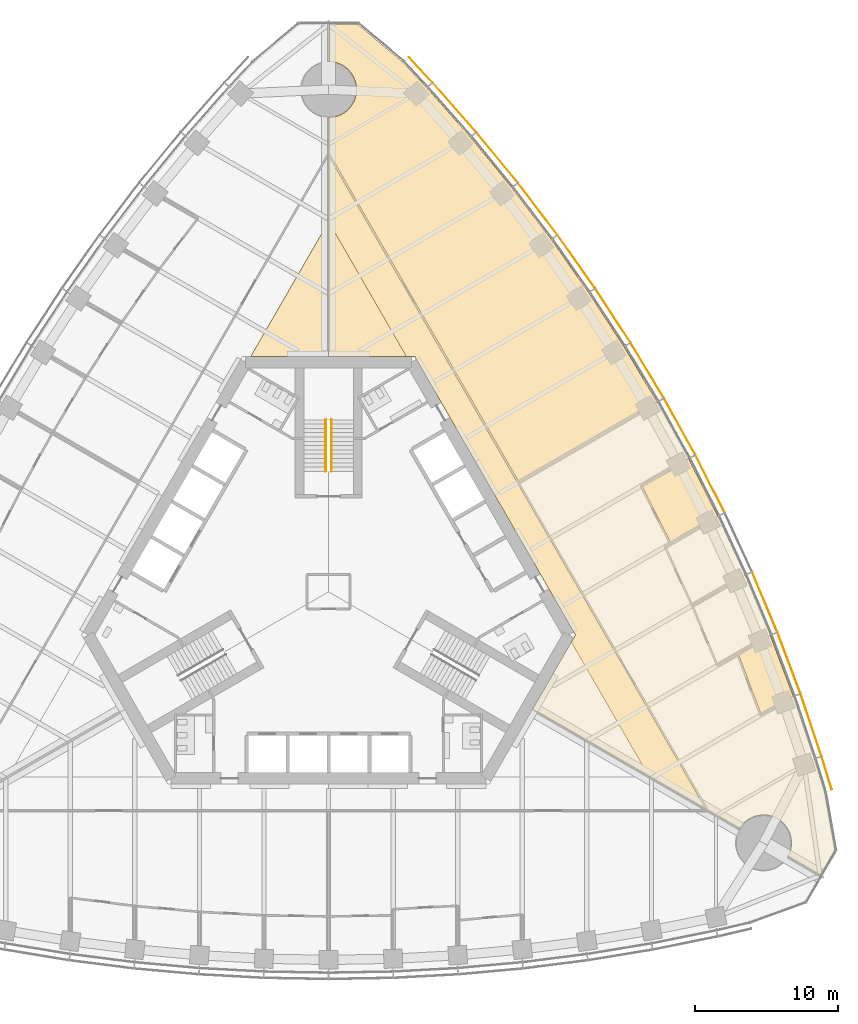
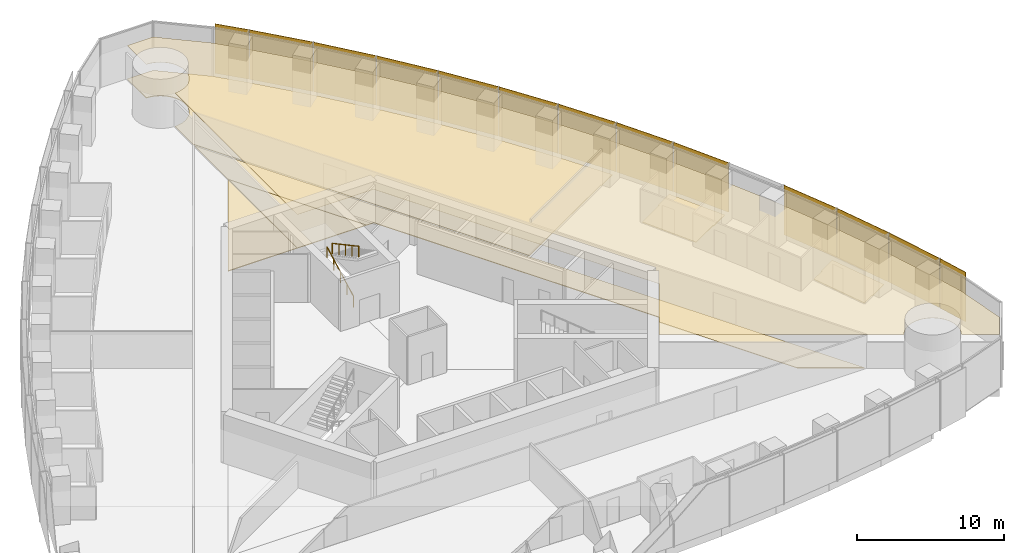
# One storey, part 17 of 19: 13 shading devices, 7 coverings, 2 railings.
"""IFC4 building model written with IfcOpenShell, lengths in metres."""

from ifc_helpers import new_model, si_unit, direction, frame, origin, origin_2d, place, context, subcontext, project, spatial, polyline, rectangle, circle, outline, extrude, material, layer, layer_set, type_object, element, save


model = new_model("IFC4")

# Units and contexts
model_context = context("Model", 3, precision=1e-05, world=origin(), true_north=direction((0.0, 1.0)))
body_context = subcontext(model_context, "Body", "Model", "MODEL_VIEW")
ifc_project = project(units=[si_unit("LENGTHUNIT", "METRE"), si_unit("AREAUNIT", "SQUARE_METRE"), si_unit("VOLUMEUNIT", "CUBIC_METRE"), si_unit("PLANEANGLEUNIT", "RADIAN"), si_unit("MASSUNIT", "GRAM", prefix="KILO")], contexts=[model_context])

# Site, building, storey
site_placement = place(None, origin())
site = spatial("IfcSite", under=ifc_project, at=site_placement, CompositionType="ELEMENT")
building_placement = place(site_placement, origin())
building = spatial("IfcBuilding", under=site, at=building_placement, Name="Trefoil Bronze Tower", CompositionType="ELEMENT")
storey_placement = place(building_placement, frame((0.0, 0.0, 128.300048828125)))
storey = spatial("IfcBuildingStorey", under=building, at=storey_placement, Name="L29", CompositionType="ELEMENT", Elevation=128.300048828125)

# Shading devices
ifc_material_1 = material(Name="Perforated bronze sheet", Category="bronze")
ifc_layer_1 = layer(ifc_material_1, 0.0400390625)
ifc_layer_set_1 = layer_set([ifc_layer_1], Name="Bronze solar screen panel")
shading_device_type = type_object("IfcShadingDeviceType", Name="Bronze solar screen panel", PredefinedType="SHUTTER", material=ifc_layer_set_1)
shading_device_1_placement = place(storey_placement, frame((34.717529296875, -12.634765625, 0.0498046875), z_axis=(0.0, 0.0, 1.0), x_axis=(-0.291668676391, 0.956519410787, 0.0)))
element("IfcShadingDevice", 1, at=shading_device_1_placement, inside=storey, type_object=shading_device_type, Name="Solar screen CW-A L29 F2 bay 1", PredefinedType="SHUTTER", context=body_context, shape_type="SweptSolid", body=[
    extrude(rectangle(XDim=2.39013671875, YDim=0.0400390625, at=origin_2d()), origin(), (0.0, 0.0, 1.0), 4.10009765625),
])
shading_device_2_placement = place(storey_placement, frame((33.62890625, -9.286865234375, 0.0498046875), z_axis=(0.0, 0.0, 1.0), x_axis=(-0.318403749569, 0.947955195281, 0.0)))
element("IfcShadingDevice", 2, at=shading_device_2_placement, inside=storey, type_object=shading_device_type, Name="Solar screen CW-A L29 F2 bay 2", PredefinedType="SHUTTER", context=body_context, shape_type="SweptSolid", body=[
    extrude(rectangle(XDim=4.56103515625, YDim=0.0400390625, at=origin_2d()), origin(), (0.0, 0.0, 1.0), 4.10009765625),
])
shading_device_3_placement = place(storey_placement, frame((32.086669921875, -4.95849609375, 0.0498046875), z_axis=(0.0, 0.0, 1.0), x_axis=(-0.352919739707, 0.935653599002, 0.0)))
element("IfcShadingDevice", 3, at=shading_device_3_placement, inside=storey, type_object=shading_device_type, Name="Solar screen CW-A L29 F2 bay 3", PredefinedType="SHUTTER", context=body_context, shape_type="SweptSolid", body=[
    extrude(rectangle(XDim=4.5302734375, YDim=0.0400390625, at=origin_2d()), origin(), (0.0, 0.0, 1.0), 4.10009765625),
])
shading_device_4_placement = place(storey_placement, frame((30.3974609375, -0.715087890625, 0.0498046875), z_axis=(0.0, 0.0, 1.0), x_axis=(-0.386759234303, 0.922180727776, 0.0)))
element("IfcShadingDevice", 4, at=shading_device_4_placement, inside=storey, type_object=shading_device_type, Name="Solar screen CW-A L29 F2 bay 4", PredefinedType="SHUTTER", context=body_context, shape_type="SweptSolid", body=[
    extrude(rectangle(XDim=4.50634765625, YDim=0.0400390625, at=origin_2d()), origin(), (0.0, 0.0, 1.0), 4.10009765625),
])
shading_device_5_placement = place(storey_placement, frame((26.5869140625, 7.52197265625, 0.0498046875), z_axis=(0.0, 0.0, 1.0), x_axis=(-0.452448919686, 0.891790320128, 0.0)))
element("IfcShadingDevice", 5, at=shading_device_5_placement, inside=storey, type_object=shading_device_type, Name="Solar screen CW-A L29 F2 bay 6", PredefinedType="SHUTTER", context=body_context, shape_type="SweptSolid", body=[
    extrude(rectangle(XDim=4.4765625, YDim=0.0400390625, at=origin_2d()), origin(), (0.0, 0.0, 1.0), 4.10009765625),
])
for number, where, z_axis, x_axis, name in (
    (6, (24.468505859375, 11.517578125, 0.0498046875), (0.0, 0.0, 1.0), (-0.484312195836, 0.874895249138, 0.0), "Solar screen CW-A L29 F2 bay 7"),
    (7, (22.208740234375, 15.431396484375, 0.0498046875), (0.0, 0.0, 1.0), (-0.515525413486, 0.856874289526, 0.0), "Solar screen CW-A L29 F2 bay 8"),
):
    element("IfcShadingDevice", number, at=place(storey_placement, frame(where, z_axis=z_axis, x_axis=x_axis)), inside=storey, type_object=shading_device_type, Name=name, PredefinedType="SHUTTER", context=body_context, shape_type="SweptSolid", body=[
        extrude(rectangle(XDim=4.470703125, YDim=0.0400390625, at=origin_2d()), origin(), (0.0, 0.0, 1.0), 4.10009765625),
    ])
shading_device_6_placement = place(storey_placement, frame((19.8076171875, 19.263916015625, 0.0498046875), z_axis=(0.0, 0.0, 1.0), x_axis=(-0.546088612237, 0.837727418427, 0.0)))
element("IfcShadingDevice", 8, at=shading_device_6_placement, inside=storey, type_object=shading_device_type, Name="Solar screen CW-A L29 F2 bay 9", PredefinedType="SHUTTER", context=body_context, shape_type="SweptSolid", body=[
    extrude(rectangle(XDim=4.4765625, YDim=0.0400390625, at=origin_2d()), origin(), (0.0, 0.0, 1.0), 4.10009765625),
])
shading_device_7_placement = place(storey_placement, frame((17.264892578125, 23.014404296875, 0.0498046875), z_axis=(0.0, 0.0, 1.0), x_axis=(-0.575999283275, 0.817450197667, 0.0)))
element("IfcShadingDevice", 9, at=shading_device_7_placement, inside=storey, type_object=shading_device_type, Name="Solar screen CW-A L29 F2 bay 10", PredefinedType="SHUTTER", context=body_context, shape_type="SweptSolid", body=[
    extrude(rectangle(XDim=4.48828125, YDim=0.0400390625, at=origin_2d()), origin(), (0.0, 0.0, 1.0), 4.10009765625),
])
shading_device_8_placement = place(storey_placement, frame((14.579345703125, 26.6826171875, 0.0498046875), z_axis=(0.0, 0.0, 1.0), x_axis=(-0.605252319983, 0.796033685943, 0.0)))
element("IfcShadingDevice", 10, at=shading_device_8_placement, inside=storey, type_object=shading_device_type, Name="Solar screen CW-A L29 F2 bay 11", PredefinedType="SHUTTER", context=body_context, shape_type="SweptSolid", body=[
    extrude(rectangle(XDim=4.50634765625, YDim=0.0400390625, at=origin_2d()), origin(), (0.0, 0.0, 1.0), 4.10009765625),
])
shading_device_9_placement = place(storey_placement, frame((11.7490234375, 30.26708984375, 0.0498046875), z_axis=(0.0, 0.0, 1.0), x_axis=(-0.633839916024, 0.773464259584, 0.0)))
element("IfcShadingDevice", 11, at=shading_device_9_placement, inside=storey, type_object=shading_device_type, Name="Solar screen CW-A L29 F2 bay 12", PredefinedType="SHUTTER", context=body_context, shape_type="SweptSolid", body=[
    extrude(rectangle(XDim=4.5302734375, YDim=0.0400390625, at=origin_2d()), origin(), (0.0, 0.0, 1.0), 4.10009765625),
])
shading_device_10_placement = place(storey_placement, frame((8.77197265625, 33.766845703125, 0.0498046875), z_axis=(0.0, 0.0, 1.0), x_axis=(-0.661751405978, 0.749723333428, 0.0)))
element("IfcShadingDevice", 12, at=shading_device_10_placement, inside=storey, type_object=shading_device_type, Name="Solar screen CW-A L29 F2 bay 13", PredefinedType="SHUTTER", context=body_context, shape_type="SweptSolid", body=[
    extrude(rectangle(XDim=4.56103515625, YDim=0.0400390625, at=origin_2d()), origin(), (0.0, 0.0, 1.0), 4.10009765625),
])
shading_device_11_placement = place(storey_placement, frame((6.416748046875, 36.383544921875, 0.0498046875), z_axis=(0.0, 0.0, 1.0), x_axis=(-0.682535770759, 0.730852188636, 0.0)))
element("IfcShadingDevice", 13, at=shading_device_11_placement, inside=storey, type_object=shading_device_type, Name="Solar screen CW-A L29 F2 bay 14", PredefinedType="SHUTTER", context=body_context, shape_type="SweptSolid", body=[
    extrude(rectangle(XDim=2.39013671875, YDim=0.0400390625, at=origin_2d()), origin(), (0.0, 0.0, 1.0), 4.10009765625),
])

# Railings
ifc_material_2 = material(Name="Steel handrail", Category="steel")
railing_type = type_object("IfcRailingType", Name="Handrail 900", PredefinedType="HANDRAIL", material=ifc_material_2)
railing_1_placement = place(storey_placement, frame((-0.199951171875, 8.389892578125, 0.161376953125)))
element("IfcRailing", 14, at=railing_1_placement, inside=storey, type_object=railing_type, Name="Handrail ST2 flight 1 L29", PredefinedType="HANDRAIL", context=body_context, shape_type="SweptSolid", body=[
    extrude(circle(Radius=0.02392578125, at=origin_2d()), frame((0.0, 0.0, 0.8759765625), z_axis=(0.0, 0.880474934443, 0.474092701714), x_axis=(-1.0, 0.0, 0.0)), (0.0, 0.0, 1.0), 4.0888671875),
    extrude(circle(Radius=0.02099609375, at=origin_2d()), origin(), (0.0, 0.0, 1.0), 0.851806640625),
    extrude(circle(Radius=0.02099609375, at=origin_2d()), frame((0.0, 0.89990234375, 0.484619140625)), (0.0, 0.0, 1.0), 0.851806640625),
    extrude(circle(Radius=0.02099609375, at=origin_2d()), frame((0.0, 1.800048828125, 0.96923828125)), (0.0, 0.0, 1.0), 0.851806640625),
    extrude(circle(Radius=0.02099609375, at=origin_2d()), frame((0.0, 2.7001953125, 1.453857421875)), (0.0, 0.0, 1.0), 0.851806640625),
    extrude(circle(Radius=0.02099609375, at=origin_2d()), frame((0.0, 3.60009765625, 1.9384765625)), (0.0, 0.0, 1.0), 0.851806640625),
])
railing_2_placement = place(storey_placement, frame((0.199951171875, 11.989990234375, 2.261474609375)))
element("IfcRailing", 15, at=railing_2_placement, inside=storey, type_object=railing_type, Name="Handrail ST2 flight 2 L29", PredefinedType="HANDRAIL", context=body_context, shape_type="SweptSolid", body=[
    extrude(circle(Radius=0.02392578125, at=origin_2d()), frame((0.0, 0.0, 0.8759765625), z_axis=(0.0, -0.880474934443, 0.474092701714), x_axis=(1.0, 0.0, 0.0)), (0.0, 0.0, 1.0), 4.0888671875),
    extrude(circle(Radius=0.02099609375, at=origin_2d()), origin(), (0.0, 0.0, 1.0), 0.851806640625),
    extrude(circle(Radius=0.02099609375, at=origin_2d()), frame((0.0, -0.89990234375, 0.484619140625)), (0.0, 0.0, 1.0), 0.851806640625),
    extrude(circle(Radius=0.02099609375, at=origin_2d()), frame((0.0, -1.800048828125, 0.96923828125)), (0.0, 0.0, 1.0), 0.851806640625),
    extrude(circle(Radius=0.02099609375, at=origin_2d()), frame((0.0, -2.7001953125, 1.453857421875)), (0.0, 0.0, 1.0), 0.851806640625),
    extrude(circle(Radius=0.02099609375, at=origin_2d()), frame((0.0, -3.60009765625, 1.9384765625)), (0.0, 0.0, 1.0), 0.851806640625),
])

# Coverings
ifc_material_3 = material(Name="Acoustic ceiling panels", Category="mineral fibre")
ifc_layer_2 = layer(ifc_material_3, 0.02001953125)
ifc_layer_set_2 = layer_set([ifc_layer_2], Name="Office ceiling 20")
covering_type_1 = type_object("IfcCoveringType", Name="Office ceiling 20", PredefinedType="CEILING", material=ifc_layer_set_2)
covering_1_placement = place(storey_placement, frame((0.0, 0.0, 2.89990234375)))
element("IfcCovering", 16, at=covering_1_placement, inside=storey, type_object=covering_type_1, Name="Ceiling L29 Open-plan office F2", PredefinedType="CEILING", context=body_context, shape_type="SweptSolid", body=[
    extrude(outline(polyline([(6.847900390625, 35.130615234375), (9.885986328125, 31.6884765625), (12.776611328125, 28.1611328125), (15.522216796875, 24.55029296875), (18.124755859375, 20.856689453125), (20.585693359375, 17.081298828125), (22.906005859375, 13.224853515625), (25.085693359375, 9.287109375), (27.124755859375, 5.268310546875), (29.022216796875, 1.16748046875), (30.776611328125, -3.015625), (32.385986328125, -7.28271484375), (33.847900390625, -11.634765625), (34.5537109375, -13.94970703125), (35.2666015625, -17.99169921875), (34.247802734375, -19.755859375), (32.006103515625, -18.462646484375), (32.030517578125, -18.419189453125), (32.07373046875, -18.333740234375), (32.112548828125, -18.24609375), (32.14697265625, -18.156982421875), (32.177001953125, -18.066162109375), (32.202392578125, -17.973876953125), (32.223388671875, -17.88037109375), (32.23974609375, -17.7861328125), (32.25146484375, -17.691162109375), (32.258544921875, -17.595703125), (32.260986328125, -17.5), (32.258544921875, -17.404296875), (32.25146484375, -17.308837890625), (32.23974609375, -17.2138671875), (32.223388671875, -17.11962890625), (32.202392578125, -17.026123046875), (32.177001953125, -16.933837890625), (32.14697265625, -16.843017578125), (32.112548828125, -16.75390625), (32.07373046875, -16.666259765625), (32.030517578125, -16.580810546875), (31.9833984375, -16.49755859375), (31.932373046875, -16.41650390625), (31.877197265625, -16.33837890625), (31.818359375, -16.262939453125), (31.755615234375, -16.1904296875), (31.689697265625, -16.12109375), (31.620361328125, -16.05517578125), (31.548095703125, -15.99267578125), (31.472412109375, -15.93359375), (31.394287109375, -15.878662109375), (31.3134765625, -15.827392578125), (31.22998046875, -15.7802734375), (31.14453125, -15.7373046875), (31.05712890625, -15.698486328125), (30.9677734375, -15.6640625), (30.876953125, -15.634033203125), (30.78466796875, -15.6083984375), (30.69140625, -15.58740234375), (30.596923828125, -15.571044921875), (30.501953125, -15.559326171875), (30.406494140625, -15.55224609375), (30.310791015625, -15.550048828125), (30.215087890625, -15.55224609375), (30.119873046875, -15.559326171875), (30.02490234375, -15.571044921875), (29.930419921875, -15.58740234375), (29.837158203125, -15.6083984375), (29.744873046875, -15.634033203125), (29.654052734375, -15.6640625), (29.564697265625, -15.698486328125), (29.477294921875, -15.7373046875), (29.3916015625, -15.7802734375), (29.308349609375, -15.827392578125), (29.2275390625, -15.878662109375), (29.1494140625, -15.93359375), (29.07373046875, -15.99267578125), (29.001220703125, -16.05517578125), (28.931884765625, -16.12109375), (28.865966796875, -16.1904296875), (28.803466796875, -16.262939453125), (28.74462890625, -16.33837890625), (28.689453125, -16.41650390625), (28.628662109375, -16.514404296875), (14.205810546875, -8.194580078125), (17.205078125, -3.0), (6.00439453125, 16.39990234375), (0.006103515625, 16.39990234375), (0.012451171875, 33.05029296875), (0.095703125, 33.05224609375), (0.191162109375, 33.059326171875), (0.2861328125, 33.071044921875), (0.38037109375, 33.08740234375), (0.473876953125, 33.1083984375), (0.566162109375, 33.134033203125), (0.656982421875, 33.1640625), (0.74609375, 33.198486328125), (0.833740234375, 33.2373046875), (0.919189453125, 33.2802734375), (1.00244140625, 33.327392578125), (1.08349609375, 33.378662109375), (1.16162109375, 33.43359375), (1.237060546875, 33.49267578125), (1.3095703125, 33.55517578125), (1.37890625, 33.62109375), (1.44482421875, 33.6904296875), (1.50732421875, 33.762939453125), (1.56640625, 33.83837890625), (1.621337890625, 33.91650390625), (1.672607421875, 33.99755859375), (1.7197265625, 34.080810546875), (1.7626953125, 34.166259765625), (1.801513671875, 34.25390625), (1.8359375, 34.343017578125), (1.865966796875, 34.433837890625), (1.8916015625, 34.526123046875), (1.91259765625, 34.61962890625), (1.928955078125, 34.7138671875), (1.940673828125, 34.808837890625), (1.94775390625, 34.904296875), (1.949951171875, 35.0), (1.94775390625, 35.095703125), (1.940673828125, 35.191162109375), (1.928955078125, 35.2861328125), (1.91259765625, 35.38037109375), (1.8916015625, 35.473876953125), (1.865966796875, 35.566162109375), (1.8359375, 35.656982421875), (1.801513671875, 35.74609375), (1.7626953125, 35.833740234375), (1.7197265625, 35.919189453125), (1.672607421875, 36.00244140625), (1.621337890625, 36.08349609375), (1.56640625, 36.16162109375), (1.50732421875, 36.237060546875), (1.44482421875, 36.3095703125), (1.37890625, 36.37890625), (1.3095703125, 36.44482421875), (1.237060546875, 36.50732421875), (1.16162109375, 36.56640625), (1.08349609375, 36.621337890625), (1.00244140625, 36.672607421875), (0.919189453125, 36.7197265625), (0.833740234375, 36.7626953125), (0.74609375, 36.801513671875), (0.656982421875, 36.8359375), (0.566162109375, 36.865966796875), (0.473876953125, 36.8916015625), (0.38037109375, 36.91259765625), (0.2861328125, 36.928955078125), (0.191162109375, 36.940673828125), (0.095703125, 36.94775390625), (0.013916015625, 36.94970703125), (0.014892578125, 39.53759765625), (2.052001953125, 39.53759765625), (5.1962890625, 36.8994140625), (6.847900390625, 35.130615234375)])), origin(), (0.0, 0.0, 1.0), 0.02001953125),
])
ifc_material_4 = material(Name="Raised access floor panels", Category="steel")
ifc_layer_3 = layer(ifc_material_4, 0.050048828125)
ifc_layer_set_3 = layer_set([ifc_layer_3], Name="Raised access floor 150")
covering_type_2 = type_object("IfcCoveringType", Name="Raised access floor 150", PredefinedType="FLOORING", material=ifc_layer_set_3)
covering_2_placement = place(storey_placement, frame((0.0, 0.0, 0.099853515625)))
element("IfcCovering", 17, at=covering_2_placement, inside=storey, type_object=covering_type_2, Name="Raised floor L29 Project room F2", PredefinedType="FLOORING", context=body_context, shape_type="SweptSolid", body=[
    extrude(outline(polyline([(25.085693359375, 9.287109375), (27.124755859375, 5.268310546875), (25.83984375, 4.5263671875), (25.809814453125, 4.578369140625), (23.837158203125, 3.439453125), (21.8525390625, 7.35107421875), (23.833251953125, 8.49462890625), (23.80322265625, 8.546630859375), (25.085693359375, 9.287109375)])), origin(), (0.0, 0.0, 1.0), 0.050048828125),
])
covering_3_placement = place(storey_placement, frame((0.0, 0.0, 0.099853515625)))
element("IfcCovering", 18, at=covering_3_placement, inside=storey, type_object=covering_type_2, Name="Raised floor L29 Print and store room F2", PredefinedType="FLOORING", context=body_context, shape_type="SweptSolid", body=[
    extrude(outline(polyline([(30.776611328125, -3.015625), (32.385986328125, -7.28271484375), (31.083251953125, -8.034912109375), (31.05322265625, -7.98291015625), (30.135498046875, -8.5126953125), (28.56884765625, -4.359619140625), (29.511474609375, -3.8154296875), (29.4814453125, -3.763427734375), (30.776611328125, -3.015625)])), origin(), (0.0, 0.0, 1.0), 0.050048828125),
])
covering_4_placement = place(storey_placement, frame((0.0, 0.0, 0.099853515625)))
element("IfcCovering", 19, at=covering_4_placement, inside=storey, type_object=covering_type_2, Name="Raised floor L29 Corridor F2", PredefinedType="FLOORING", context=body_context, shape_type="SweptSolid", body=[
    extrude(outline(polyline([(26.31591796875, -15.180419921875), (22.333740234375, -12.88330078125), (16.91650390625, -3.5), (17.205078125, -3.0), (6.00439453125, 16.39990234375), (5.427001953125, 16.39990234375), (0.009765625, 25.783203125), (0.011474609375, 30.38037109375), (26.31591796875, -15.180419921875)])), origin(), (0.0, 0.0, 1.0), 0.050048828125),
])
covering_5_placement = place(storey_placement, frame((0.0, 0.0, 0.099853515625)))
element("IfcCovering", 20, at=covering_5_placement, inside=storey, type_object=covering_type_2, Name="Raised floor L29 Open-plan office F2", PredefinedType="FLOORING", context=body_context, shape_type="SweptSolid", body=[
    extrude(outline(polyline([(15.522216796875, 24.55029296875), (18.124755859375, 20.856689453125), (20.585693359375, 17.081298828125), (22.905517578125, 13.2255859375), (21.623779296875, 12.485595703125), (21.5869140625, 12.5498046875), (13.22998046875, 7.72509765625), (0.068359375, 30.521484375), (0.011474609375, 30.488525390625), (0.012451171875, 33.05029296875), (0.095703125, 33.05224609375), (0.191162109375, 33.059326171875), (0.2861328125, 33.071044921875), (0.38037109375, 33.08740234375), (0.473876953125, 33.1083984375), (0.566162109375, 33.134033203125), (0.656982421875, 33.1640625), (0.74609375, 33.198486328125), (0.833740234375, 33.2373046875), (0.919189453125, 33.2802734375), (1.00244140625, 33.327392578125), (1.08349609375, 33.378662109375), (1.16162109375, 33.43359375), (1.237060546875, 33.49267578125), (1.3095703125, 33.55517578125), (1.37890625, 33.62109375), (1.44482421875, 33.6904296875), (1.50732421875, 33.762939453125), (1.56640625, 33.83837890625), (1.621337890625, 33.91650390625), (1.672607421875, 33.99755859375), (1.7197265625, 34.080810546875), (1.7626953125, 34.166259765625), (1.801513671875, 34.25390625), (1.8359375, 34.343017578125), (1.865966796875, 34.433837890625), (1.8916015625, 34.526123046875), (1.91259765625, 34.61962890625), (1.928955078125, 34.7138671875), (1.940673828125, 34.808837890625), (1.94775390625, 34.904296875), (1.949951171875, 35.0), (1.94775390625, 35.095703125), (1.940673828125, 35.191162109375), (1.928955078125, 35.2861328125), (1.91259765625, 35.38037109375), (1.8916015625, 35.473876953125), (1.865966796875, 35.566162109375), (1.8359375, 35.656982421875), (1.801513671875, 35.74609375), (1.7626953125, 35.833740234375), (1.7197265625, 35.919189453125), (1.672607421875, 36.00244140625), (1.621337890625, 36.08349609375), (1.56640625, 36.16162109375), (1.50732421875, 36.237060546875), (1.44482421875, 36.3095703125), (1.37890625, 36.37890625), (1.3095703125, 36.44482421875), (1.237060546875, 36.50732421875), (1.16162109375, 36.56640625), (1.08349609375, 36.621337890625), (1.00244140625, 36.672607421875), (0.919189453125, 36.7197265625), (0.833740234375, 36.7626953125), (0.74609375, 36.801513671875), (0.656982421875, 36.8359375), (0.566162109375, 36.865966796875), (0.473876953125, 36.8916015625), (0.38037109375, 36.91259765625), (0.2861328125, 36.928955078125), (0.191162109375, 36.940673828125), (0.095703125, 36.94775390625), (0.013916015625, 36.94970703125), (0.014892578125, 39.53759765625), (2.052001953125, 39.53759765625), (5.1962890625, 36.8994140625), (6.847900390625, 35.130615234375), (9.885986328125, 31.6884765625), (12.776611328125, 28.1611328125), (15.522216796875, 24.55029296875)])), origin(), (0.0, 0.0, 1.0), 0.050048828125),
])
covering_6_placement = place(storey_placement, frame((0.0, 0.0, 0.099853515625)))
element("IfcCovering", 21, at=covering_6_placement, inside=storey, type_object=covering_type_2, Name="Raised floor L29 Open-plan office F2", PredefinedType="FLOORING", context=body_context, shape_type="SweptSolid", body=[
    extrude(outline(polyline([(0.006103515625, 16.39990234375), (0.009765625, 25.783203125), (5.427001953125, 16.39990234375), (0.006103515625, 16.39990234375)])), origin(), (0.0, 0.0, 1.0), 0.050048828125),
])
covering_7_placement = place(storey_placement, frame((0.0, 0.0, 0.099853515625)))
element("IfcCovering", 22, at=covering_7_placement, inside=storey, type_object=covering_type_2, Name="Raised floor L29 Open-plan office F3", PredefinedType="FLOORING", context=body_context, shape_type="SweptSolid", body=[
    extrude(outline(polyline([(-0.009765625, 25.783203125), (-0.006103515625, 16.39990234375), (-5.427001953125, 16.39990234375), (-0.009765625, 25.783203125)])), origin(), (0.0, 0.0, 1.0), 0.050048828125),
])

save(model, "model.ifc")
